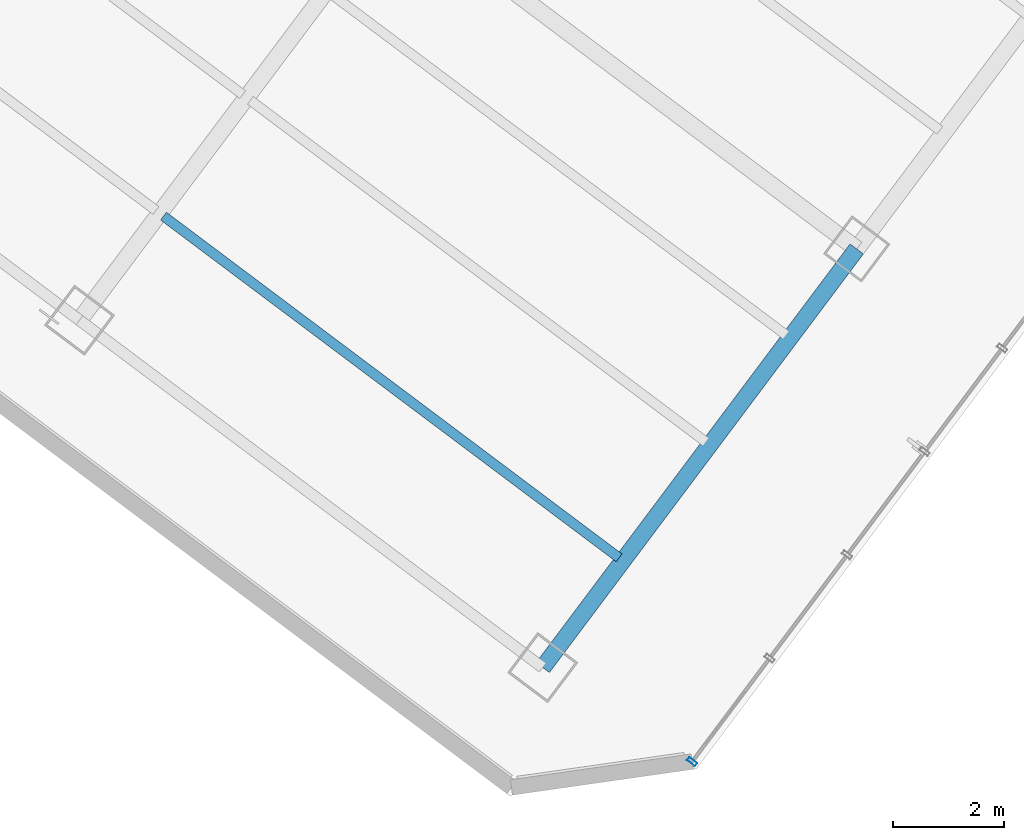
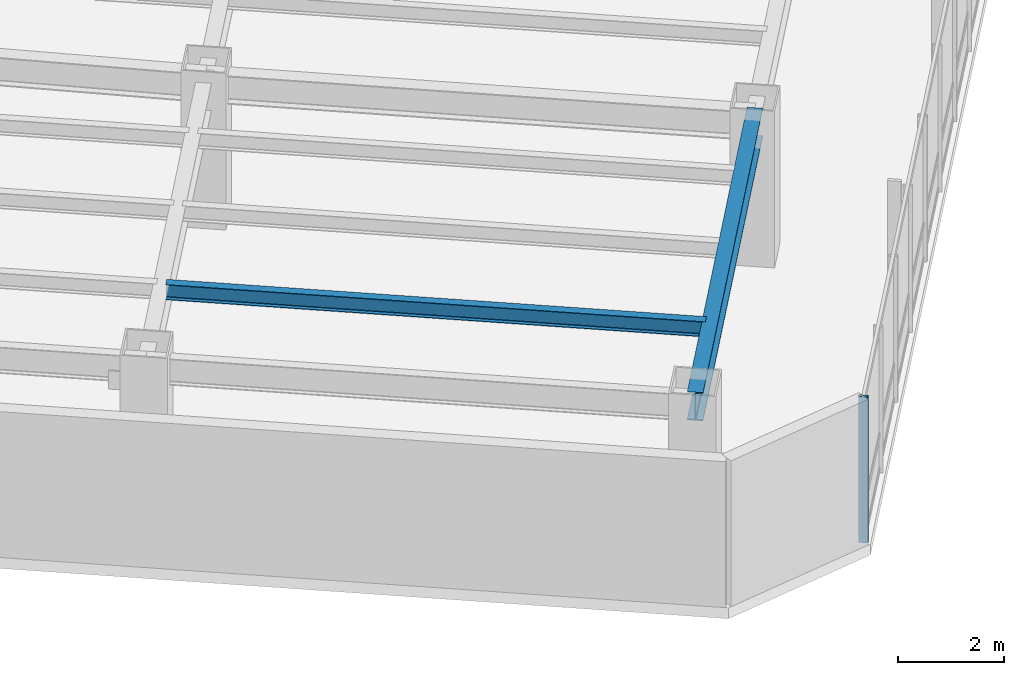
# One storey, part 6 of 29: 2 beams, 1 member, 1 element without a shape of its own.
"""IFC4 building model written with IfcOpenShell, lengths in metres."""

from ifc_helpers import new_model, si_unit, direction, frame, origin, origin_2d, place, context, subcontext, project, spatial, hollow_rectangle, i_section, extrude, material, layer, layer_set, material_profile, profile_set, type_object, element, aggregate, save


model = new_model("IFC4")

# Units and contexts
model_context = context("Model", 3, precision=1e-05, world=origin(), true_north=direction((0.0, 1.0)))
body_context = subcontext(model_context, "Body", "Model", "MODEL_VIEW")
ifc_project = project(units=[si_unit("LENGTHUNIT", "METRE"), si_unit("AREAUNIT", "SQUARE_METRE"), si_unit("VOLUMEUNIT", "CUBIC_METRE"), si_unit("PLANEANGLEUNIT", "RADIAN"), si_unit("MASSUNIT", "GRAM", prefix="KILO")], contexts=[model_context])

# Site, building, storey
site_placement = place(None, origin())
site = spatial("IfcSite", under=ifc_project, at=site_placement, CompositionType="ELEMENT")
building_placement = place(site_placement, origin())
building = spatial("IfcBuilding", under=site, at=building_placement, Name="Hatsunagi Terrace Concourse", CompositionType="ELEMENT")
storey_placement = place(building_placement, frame((0.0, 0.0, 115.64990234375)))
storey = spatial("IfcBuildingStorey", under=building, at=storey_placement, Name="L30", CompositionType="ELEMENT", Elevation=115.64990234375)

# Curtain wall, member
ifc_material_1 = material(Name="Anodised Aluminium Alloy 6063-T5", Category="aluminium")
ifc_layer = layer(ifc_material_1, 0.199951171875)
ifc_layer_set = layer_set([ifc_layer], Name="OfficeZone1_CW03")
curtain_wall_type = type_object("IfcCurtainWallType", Name="OfficeZone1_CW03", PredefinedType="NOTDEFINED", material=ifc_layer_set)
curtain_wall_placement = place(storey_placement, origin())
curtain_wall = element("IfcCurtainWall", 1, at=curtain_wall_placement, inside=storey, type_object=curtain_wall_type, Name="Unitised Curtain Wall CW-03 CW-L30-03", PredefinedType="NOTDEFINED")
ifc_material_2 = material(Name="Anodised Aluminium Alloy 6063-T5", Category="aluminium")
ifc_material_profile_1 = material_profile(ifc_material_2, hollow_rectangle(XDim=0.070068359375, YDim=0.179931640625, WallThickness=0.00390625, at=origin_2d()), Name="ALU-MUL-180x70x4")
ifc_profile_set_1 = profile_set([ifc_material_profile_1], Name="Anodised Aluminium Alloy 6063-T5")
member_type = type_object("IfcMemberType", Name="CurtainWallMullion_180x70", PredefinedType="MULLION", material=ifc_profile_set_1)
member_placement = place(storey_placement, frame((56.56298828125, 2.949951171875, 0.0), z_axis=(0.0, 0.0, 1.0), x_axis=(-0.599969314634, -0.800023013105, 0.0)))
member = element("IfcMember", 2, at=member_placement, type_object=member_type, Name="Curtain Wall Mullion MUL-02", PredefinedType="MULLION", context=body_context, shape_type="SweptSolid", body=[
    extrude(hollow_rectangle(XDim=0.070068359375, YDim=0.179931640625, WallThickness=0.00390625, at=origin_2d()), origin(), (0.0, 0.0, 1.0), 3.35009765625),
])
aggregate(curtain_wall, [member])

# Beams
ifc_material_3 = material(Name="Steel SN490B", Category="steel")
ifc_material_profile_2 = material_profile(ifc_material_3, i_section(OverallWidth=0.175048828125, OverallDepth=0.35009765625, WebThickness=0.007080078125, FlangeThickness=0.010986328125, FilletRadius=0.012939453125, at=origin_2d()), Name="H-350x175x7x11")
ifc_profile_set_2 = profile_set([ifc_material_profile_2], Name="Steel SN490B")
beam_type_1 = type_object("IfcBeamType", Name="HotelJoist_H_350x175", PredefinedType="JOIST", material=ifc_profile_set_2)
beam_1_placement = place(storey_placement, frame((47.068115234375, 12.7490234375, 3.175048828125), z_axis=(0.799997136125, -0.600003818481, 0.0), x_axis=(0.600003818481, 0.799997136125, 0.0)))
element("IfcBeam", 3, at=beam_1_placement, inside=storey, type_object=beam_type_1, Name="Beam J-02 J-L30-SE-3-46", PredefinedType="JOIST", context=body_context, shape_type="SweptSolid", body=[
    extrude(i_section(OverallWidth=0.175048828125, OverallDepth=0.35009765625, WebThickness=0.007080078125, FlangeThickness=0.010986328125, FilletRadius=0.012939453125, at=origin_2d()), origin(), (0.0, 0.0, 1.0), 10.229736328125),
])
ifc_material_4 = material(Name="Steel SN490B", Category="steel")
ifc_material_profile_3 = material_profile(ifc_material_4, i_section(OverallWidth=0.300048828125, OverallDepth=0.64990234375, WebThickness=0.012939453125, FlangeThickness=0.02197265625, FilletRadius=0.01806640625, at=origin_2d()), Name="H-650x300x13x22")
ifc_profile_set_3 = profile_set([ifc_material_profile_3], Name="Steel SN490B")
beam_type_2 = type_object("IfcBeamType", Name="OfficeLowGirder_H_650x300", PredefinedType="BEAM", material=ifc_profile_set_3)
beam_2_placement = place(storey_placement, frame((53.8798828125, 4.639892578125, 3.025146484375), z_axis=(0.600008311051, 0.799993766644, 0.0), x_axis=(-0.799993766644, 0.600008311051, 0.0)))
element("IfcBeam", 4, at=beam_2_placement, inside=storey, type_object=beam_type_2, Name="Beam G-05 BM-L30-SET-3A", PredefinedType="BEAM", context=body_context, shape_type="SweptSolid", body=[
    extrude(i_section(OverallWidth=0.300048828125, OverallDepth=0.64990234375, WebThickness=0.012939453125, FlangeThickness=0.02197265625, FilletRadius=0.01806640625, at=origin_2d()), origin(), (0.0, 0.0, 1.0), 9.400146484375),
])

save(model, "model.ifc")
